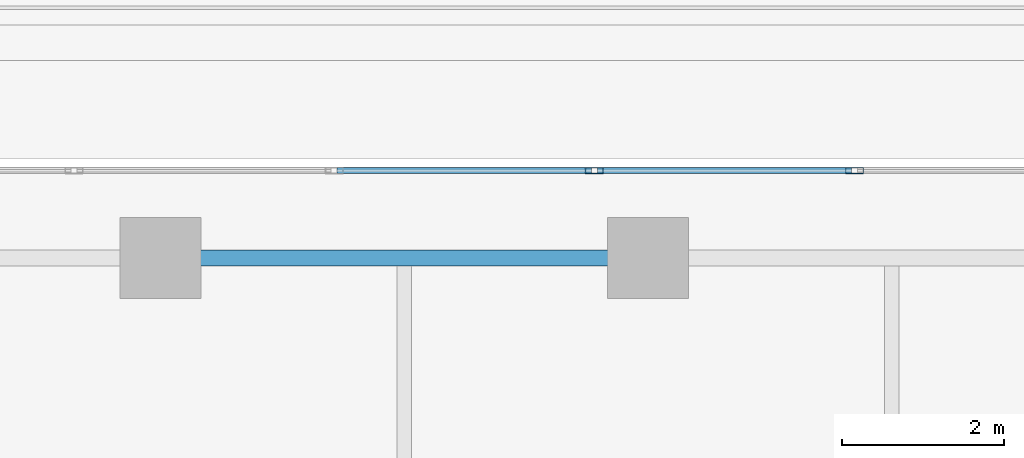
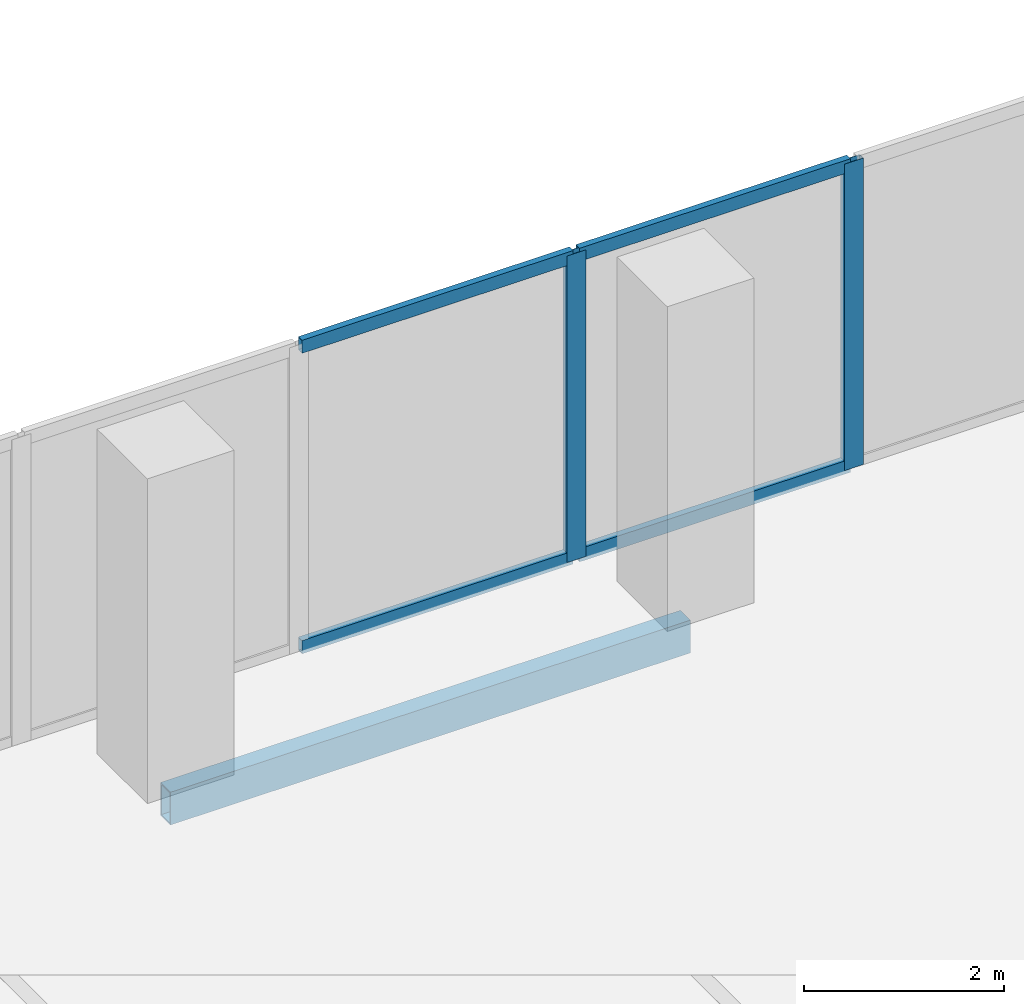
# One storey, part 18 of 38: 6 members, 1 beam, 1 element without a shape of its own.
"""IFC4 building model written with IfcOpenShell, lengths in metres."""

from ifc_helpers import new_model, si_unit, direction, frame, origin, origin_2d, place, context, subcontext, project, spatial, hollow_rectangle, extrude, material, layer, layer_set, material_profile, profile_set, type_object, element, aggregate, save


model = new_model("IFC4")

# Units and contexts
model_context = context("Model", 3, precision=1e-05, world=origin(), true_north=direction((0.0, 1.0)))
body_context = subcontext(model_context, "Body", "Model", "MODEL_VIEW")
ifc_project = project(units=[si_unit("LENGTHUNIT", "METRE"), si_unit("AREAUNIT", "SQUARE_METRE"), si_unit("VOLUMEUNIT", "CUBIC_METRE"), si_unit("PLANEANGLEUNIT", "RADIAN"), si_unit("MASSUNIT", "GRAM", prefix="KILO")], contexts=[model_context])

# Site, building, storey
site_placement = place(None, origin())
site = spatial("IfcSite", under=ifc_project, at=site_placement, CompositionType="ELEMENT")
building_placement = place(site_placement, origin())
building = spatial("IfcBuilding", under=site, at=building_placement, Name="Tanjung Sevakor Pilgrim Tower", CompositionType="ELEMENT")
storey_placement = place(building_placement, frame((0.0, 0.0, 78.2099609375)))
storey = spatial("IfcBuildingStorey", under=building, at=storey_placement, Name="L21", CompositionType="ELEMENT", Elevation=78.2099609375)

# Beam
ifc_material_1 = material(Name="Steel S355J2", Category="steel")
ifc_material_profile_1 = material_profile(ifc_material_1, hollow_rectangle(XDim=0.199951171875, YDim=0.39990234375, WallThickness=0.01611328125, at=origin_2d()))
ifc_profile_set_1 = profile_set([ifc_material_profile_1], Name="Steel S355J2")
beam_type = type_object("IfcBeamType", Name="BM-B-SP2-RHS_400x200x16", PredefinedType="SPANDREL", material=ifc_profile_set_1)
beam_placement = place(storey_placement, frame((72.0, 56.39990234375, -0.47998046875), z_axis=(1.0, 0.0, 0.0), x_axis=(0.0, 1.0, 0.0)))
element("IfcBeam", 1, at=beam_placement, inside=storey, type_object=beam_type, Name="L21 Spandrel MAIN N-14", PredefinedType="SPANDREL", context=body_context, shape_type="SweptSolid", body=[
    extrude(hollow_rectangle(XDim=0.199951171875, YDim=0.39990234375, WallThickness=0.01611328125, at=origin_2d()), origin(), (0.0, 0.0, 1.0), 6.0),
])

# Curtain wall, members
ifc_material_2 = material(Name="Aluminium 6063-T6 and Low-E Glass", Category="aluminium")
ifc_layer = layer(ifc_material_2, 0.199951171875)
ifc_layer_set = layer_set([ifc_layer], Name="CW-SYS-SKY")
curtain_wall_type = type_object("IfcCurtainWallType", Name="CW-SYS-SKY", PredefinedType="NOTDEFINED", material=ifc_layer_set)
curtain_wall_placement = place(storey_placement, origin())
curtain_wall = element("IfcCurtainWall", 2, at=curtain_wall_placement, inside=storey, type_object=curtain_wall_type, Name="L21 Curtain Wall CW-SKY-L21-N", PredefinedType="NOTDEFINED")
ifc_material_3 = material(Name="Aluminium 6063-T6", Category="aluminium")
ifc_material_profile_2 = material_profile(ifc_material_3, hollow_rectangle(XDim=0.074951171875, YDim=0.219970703125, WallThickness=0.0048828125, at=origin_2d()))
ifc_profile_set_2 = profile_set([ifc_material_profile_2], Name="Aluminium 6063-T6")
member_type_1 = type_object("IfcMemberType", Name="TYPE-CWM-2", PredefinedType="MULLION", material=ifc_profile_set_2)
member_1_placement = place(storey_placement, frame((80.541259765625, 57.47509765625, 0.0), z_axis=(0.0, 0.0, 1.0), x_axis=(0.0, -1.0, 0.0)))
member_1 = element("IfcMember", 3, at=member_1_placement, type_object=member_type_1, Name="CW-SKY mullion 4", PredefinedType="MULLION", context=body_context, shape_type="SweptSolid", body=[
    extrude(hollow_rectangle(XDim=0.074951171875, YDim=0.219970703125, WallThickness=0.0048828125, at=origin_2d()), origin(), (0.0, 0.0, 1.0), 3.739990234375),
])
member_2_placement = place(storey_placement, frame((77.3388671875, 57.47509765625, 0.0), z_axis=(0.0, 0.0, 1.0), x_axis=(0.0, -1.0, 0.0)))
member_2 = element("IfcMember", 4, at=member_2_placement, type_object=member_type_1, Name="CW-SKY mullion 5", PredefinedType="MULLION", context=body_context, shape_type="SweptSolid", body=[
    extrude(hollow_rectangle(XDim=0.074951171875, YDim=0.219970703125, WallThickness=0.0048828125, at=origin_2d()), origin(), (0.0, 0.0, 1.0), 3.739990234375),
])
ifc_material_4 = material(Name="Aluminium 6063-T6", Category="aluminium")
ifc_material_profile_3 = material_profile(ifc_material_4, hollow_rectangle(XDim=0.074951171875, YDim=0.159912109375, WallThickness=0.00439453125, at=origin_2d()))
ifc_profile_set_3 = profile_set([ifc_material_profile_3], Name="Aluminium 6063-T6")
member_type_2 = type_object("IfcMemberType", Name="TYPE-CWT-2", PredefinedType="USERDEFINED", material=ifc_profile_set_3)
member_3_placement = place(storey_placement, frame((80.503662109375, 57.47509765625, 0.03759765625), z_axis=(-1.0, 0.0, 0.0), x_axis=(0.0, -1.0, 0.0)))
member_3 = element("IfcMember", 5, at=member_3_placement, type_object=member_type_2, Name="CW-SKY transom 4.1", ObjectType="TRANSOM", PredefinedType="USERDEFINED", context=body_context, shape_type="SweptSolid", body=[
    extrude(hollow_rectangle(XDim=0.074951171875, YDim=0.159912109375, WallThickness=0.00439453125, at=origin_2d()), origin(), (0.0, 0.0, 1.0), 3.127197265625),
])
member_4_placement = place(storey_placement, frame((80.503662109375, 57.47509765625, 3.70263671875), z_axis=(-1.0, 0.0, 0.0), x_axis=(0.0, -1.0, 0.0)))
member_4 = element("IfcMember", 6, at=member_4_placement, type_object=member_type_2, Name="CW-SKY transom 4.2", ObjectType="TRANSOM", PredefinedType="USERDEFINED", context=body_context, shape_type="SweptSolid", body=[
    extrude(hollow_rectangle(XDim=0.074951171875, YDim=0.159912109375, WallThickness=0.00439453125, at=origin_2d()), origin(), (0.0, 0.0, 1.0), 3.127197265625),
])
member_5_placement = place(storey_placement, frame((77.301513671875, 57.47509765625, 0.03759765625), z_axis=(-1.0, 0.0, 0.0), x_axis=(0.0, -1.0, 0.0)))
member_5 = element("IfcMember", 7, at=member_5_placement, type_object=member_type_2, Name="CW-SKY transom 5.1", ObjectType="TRANSOM", PredefinedType="USERDEFINED", context=body_context, shape_type="SweptSolid", body=[
    extrude(hollow_rectangle(XDim=0.074951171875, YDim=0.159912109375, WallThickness=0.00439453125, at=origin_2d()), origin(), (0.0, 0.0, 1.0), 3.12744140625),
])
member_6_placement = place(storey_placement, frame((77.301513671875, 57.47509765625, 3.70263671875), z_axis=(-1.0, 0.0, 0.0), x_axis=(0.0, -1.0, 0.0)))
member_6 = element("IfcMember", 8, at=member_6_placement, type_object=member_type_2, Name="CW-SKY transom 5.2", ObjectType="TRANSOM", PredefinedType="USERDEFINED", context=body_context, shape_type="SweptSolid", body=[
    extrude(hollow_rectangle(XDim=0.074951171875, YDim=0.159912109375, WallThickness=0.00439453125, at=origin_2d()), origin(), (0.0, 0.0, 1.0), 3.12744140625),
])
aggregate(curtain_wall, [member_1, member_2, member_3, member_4, member_5, member_6])

save(model, "model.ifc")
